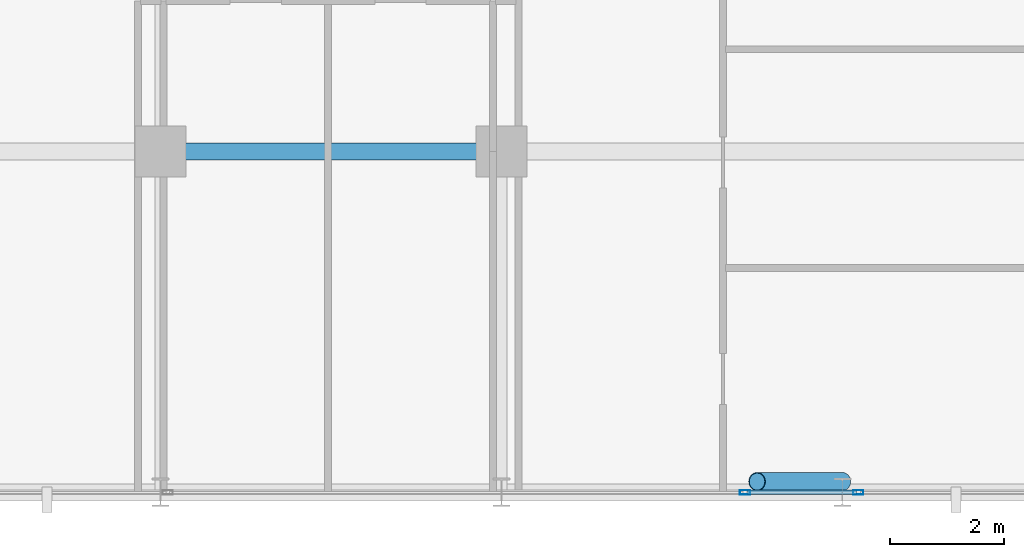
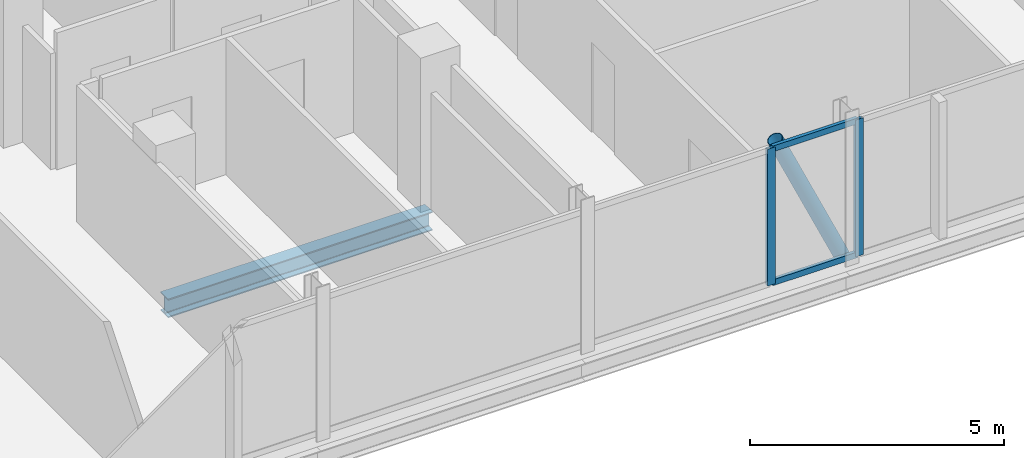
# One storey, part 9 of 31: 5 members, 1 beam, 2 elements without a shape of their own.
"""IFC4 building model written with IfcOpenShell, lengths in metres."""

from ifc_helpers import new_model, si_unit, direction, frame, origin, origin_2d, place, context, subcontext, project, spatial, hollow_rectangle, hollow_circle, i_section, extrude, material, layer, layer_set, material_profile, profile_set, type_object, element, aggregate, save


model = new_model("IFC4")

# Units and contexts
model_context = context("Model", 3, precision=1e-05, world=origin(), true_north=direction((0.0, 1.0)))
body_context = subcontext(model_context, "Body", "Model", "MODEL_VIEW")
ifc_project = project(units=[si_unit("LENGTHUNIT", "METRE"), si_unit("AREAUNIT", "SQUARE_METRE"), si_unit("VOLUMEUNIT", "CUBIC_METRE"), si_unit("PLANEANGLEUNIT", "RADIAN"), si_unit("MASSUNIT", "GRAM", prefix="KILO")], contexts=[model_context])

# Site, building, storey
site_placement = place(None, origin())
site = spatial("IfcSite", under=ifc_project, at=site_placement, CompositionType="ELEMENT")
building_placement = place(site_placement, origin())
building = spatial("IfcBuilding", under=site, at=building_placement, Name="Keshet Zoharim Tower", CompositionType="ELEMENT")
storey_placement = place(building_placement, frame((0.0, 0.0, 155.699951171875)))
storey = spatial("IfcBuildingStorey", under=building, at=storey_placement, Name="L38", CompositionType="ELEMENT", Elevation=155.699951171875)

# Beam
ifc_material_1 = material(Name="Steel S355", Category="steel")
ifc_material_profile_1 = material_profile(ifc_material_1, i_section(OverallWidth=0.300048828125, OverallDepth=0.449951171875, WebThickness=0.013916015625, FlangeThickness=0.02587890625, FilletRadius=0.027099609375, at=origin_2d()), Name="HEB450")
ifc_profile_set_1 = profile_set([ifc_material_profile_1], Name="Steel S355")
beam_type = type_object("IfcBeamType", Name="BM-WEB-HB450", PredefinedType="BEAM", material=ifc_profile_set_1)
beam_placement = place(storey_placement, frame((33.0, 6.699951171875, -0.5400390625), z_axis=(1.0, 0.0, 0.0), x_axis=(0.0, 1.0, 0.0)))
element("IfcBeam", 1, at=beam_placement, inside=storey, type_object=beam_type, Name="L38 Primary Girder X-007", PredefinedType="BEAM", context=body_context, shape_type="SweptSolid", body=[
    extrude(i_section(OverallWidth=0.300048828125, OverallDepth=0.449951171875, WebThickness=0.013916015625, FlangeThickness=0.02587890625, FilletRadius=0.027099609375, at=origin_2d()), origin(), (0.0, 0.0, 1.0), 6.0),
])

# Curtain wall, member
ifc_material_2 = material(Name="Aluminium 6063-T6", Category="aluminium")
ifc_layer = layer(ifc_material_2, 0.159912109375)
ifc_layer_set = layer_set([ifc_layer], Name="Aluminium 6063-T6")
curtain_wall_type = type_object("IfcCurtainWallType", Name="CW-SYS-03", PredefinedType="NOTDEFINED", material=ifc_layer_set)
curtain_wall_1_placement = place(storey_placement, origin())
curtain_wall_1 = element("IfcCurtainWall", 2, at=curtain_wall_1_placement, inside=storey, type_object=curtain_wall_type, Name="L38 Unitised Curtain Wall 03", PredefinedType="NOTDEFINED")
ifc_material_profile_2 = material_profile(ifc_material_2, hollow_rectangle(XDim=0.080078125, YDim=0.179931640625, WallThickness=0.00439453125, at=origin_2d()), Name="MUL-80x180")
ifc_profile_set_2 = profile_set([ifc_material_profile_2], Name="Aluminium 6063-T6")
member_type_1 = type_object("IfcMemberType", Name="CWM-M18", PredefinedType="MULLION", material=ifc_profile_set_2)
member_1_placement = place(storey_placement, frame((45.2822265625, 0.699951171875, 0.0), z_axis=(0.0, 0.0, 1.0), x_axis=(0.0, -1.0, 0.0)))
member_1 = element("IfcMember", 3, at=member_1_placement, type_object=member_type_1, Name="CW-03 mullion 2", PredefinedType="MULLION", context=body_context, shape_type="SweptSolid", body=[
    extrude(hollow_rectangle(XDim=0.080078125, YDim=0.179931640625, WallThickness=0.00439453125, at=origin_2d()), origin(), (0.0, 0.0, 1.0), 3.280029296875),
])
aggregate(curtain_wall_1, [member_1])

# Curtain wall, members
curtain_wall_2_placement = place(storey_placement, origin())
curtain_wall_2 = element("IfcCurtainWall", 4, at=curtain_wall_2_placement, inside=storey, type_object=curtain_wall_type, Name="L38 Unitised Curtain Wall 03 Part 2", PredefinedType="NOTDEFINED")
member_2_placement = place(storey_placement, frame((43.28759765625, 0.699951171875, 0.0), z_axis=(0.0, 0.0, 1.0), x_axis=(0.0, -1.0, 0.0)))
member_2 = element("IfcMember", 5, at=member_2_placement, type_object=member_type_1, Name="CW-03 mullion 2", PredefinedType="MULLION", context=body_context, shape_type="SweptSolid", body=[
    extrude(hollow_rectangle(XDim=0.080078125, YDim=0.179931640625, WallThickness=0.00439453125, at=origin_2d()), origin(), (0.0, 0.0, 1.0), 3.280029296875),
])
ifc_material_profile_3 = material_profile(ifc_material_2, hollow_rectangle(XDim=0.080078125, YDim=0.139892578125, WallThickness=0.00390625, at=origin_2d()), Name="TRN-80x140")
ifc_profile_set_3 = profile_set([ifc_material_profile_3], Name="Aluminium 6063-T6")
member_type_2 = type_object("IfcMemberType", Name="CWT-T14", PredefinedType="USERDEFINED", material=ifc_profile_set_3)
member_3_placement = place(storey_placement, frame((45.247314453125, 0.699951171875, 0.03515625), z_axis=(-1.0, 0.0, 0.0), x_axis=(0.0, -1.0, 0.0)))
member_3 = element("IfcMember", 6, at=member_3_placement, type_object=member_type_2, Name="CW-03 transom 1.1", ObjectType="TRANSOM", PredefinedType="USERDEFINED", context=body_context, shape_type="SweptSolid", body=[
    extrude(hollow_rectangle(XDim=0.080078125, YDim=0.139892578125, WallThickness=0.00390625, at=origin_2d()), origin(), (0.0, 0.0, 1.0), 1.924560546875),
])
member_4_placement = place(storey_placement, frame((45.247314453125, 0.699951171875, 3.2451171875), z_axis=(-1.0, 0.0, 0.0), x_axis=(0.0, -1.0, 0.0)))
member_4 = element("IfcMember", 7, at=member_4_placement, type_object=member_type_2, Name="CW-03 transom 1.2", ObjectType="TRANSOM", PredefinedType="USERDEFINED", context=body_context, shape_type="SweptSolid", body=[
    extrude(hollow_rectangle(XDim=0.080078125, YDim=0.139892578125, WallThickness=0.00390625, at=origin_2d()), origin(), (0.0, 0.0, 1.0), 1.924560546875),
])
aggregate(curtain_wall_2, [member_2, member_3, member_4])

# Member
ifc_material_profile_4 = material_profile(ifc_material_1, hollow_circle(Radius=0.161865234375, WallThickness=0.012451171875, at=origin_2d()), Name="CHS323x12.5")
ifc_profile_set_4 = profile_set([ifc_material_profile_4], Name="Steel S355")
member_type_3 = type_object("IfcMemberType", Name="MB-BR-C323", PredefinedType="BRACE", material=ifc_profile_set_4)
member_5_placement = place(storey_placement, frame((45.0, 0.889892578125, 0.0), z_axis=(-0.415887731958, 0.0, 0.909415963356), x_axis=(0.0, -1.0, 0.0)))
element("IfcMember", 8, at=member_5_placement, inside=storey, type_object=member_type_3, Name="L38 Perimeter Tube Brace 03", PredefinedType="BRACE", context=body_context, shape_type="SweptSolid", body=[
    extrude(hollow_circle(Radius=0.161865234375, WallThickness=0.012451171875, at=origin_2d()), origin(), (0.0, 0.0, 1.0), 3.606689453125),
])

save(model, "model.ifc")
